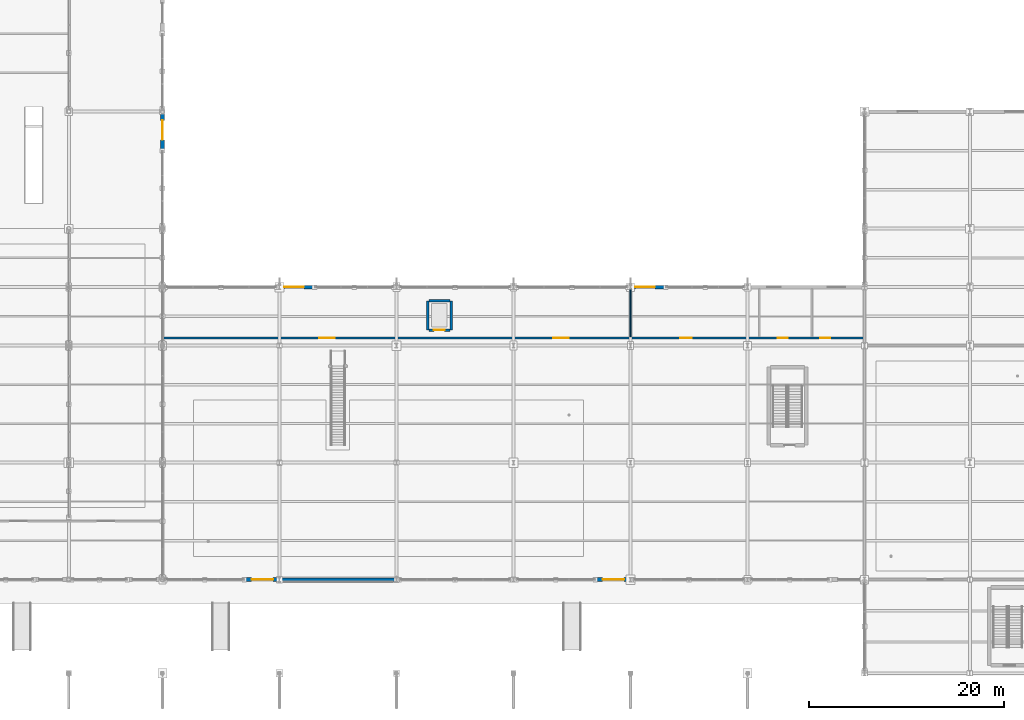
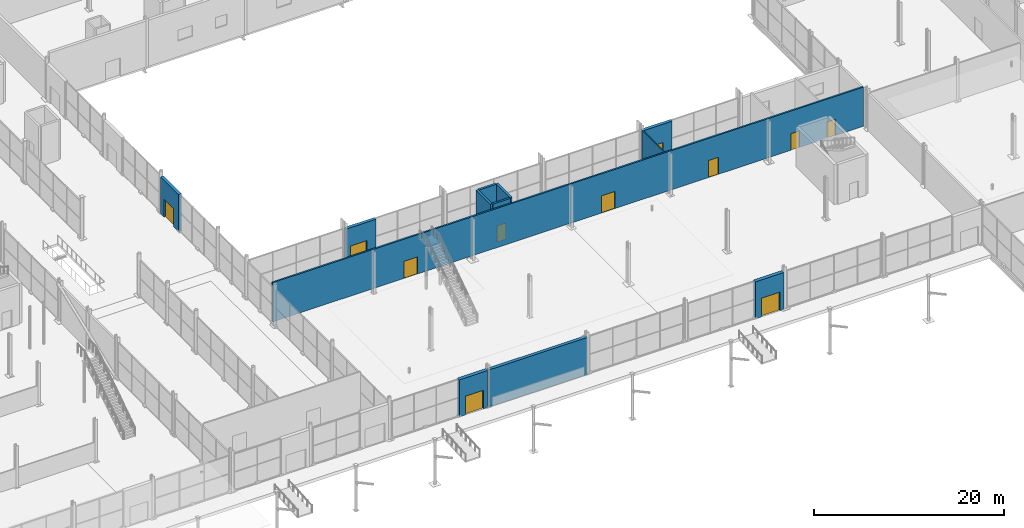
# One storey, part 170 of 196: 12 walls, 11 doors, 11 openings.
"""IFC4 building model written with IfcOpenShell, lengths in metres."""

from ifc_helpers import new_model, si_unit, direction, frame, frame_2d, origin, place, context, subcontext, project, spatial, rectangle, extrude, material, layer, layer_set, type_object, element, fill, save


model = new_model("IFC4")

# Units and contexts
model_context = context("Model", 3, precision=1e-05, world=origin(), true_north=direction((0.0, 1.0)))
body_context = subcontext(model_context, "Body", "Model", "MODEL_VIEW")
ifc_project = project(units=[si_unit("LENGTHUNIT", "METRE"), si_unit("AREAUNIT", "SQUARE_METRE"), si_unit("VOLUMEUNIT", "CUBIC_METRE"), si_unit("PLANEANGLEUNIT", "RADIAN"), si_unit("MASSUNIT", "GRAM", prefix="KILO")], contexts=[model_context])

# Site, building, storey
site_placement = place(None, origin())
site = spatial("IfcSite", under=ifc_project, at=site_placement, CompositionType="ELEMENT")
building_placement = place(site_placement, origin())
building = spatial("IfcBuilding", under=site, at=building_placement, Name="Merenkruunu Market Hall", CompositionType="ELEMENT")
storey_placement = place(building_placement, origin())
storey = spatial("IfcBuildingStorey", under=building, at=storey_placement, Name="L00", CompositionType="ELEMENT", Elevation=0.0)

# Wall, opening, door
ifc_material_1 = material(Name="Kuru grey granite", Category="masonry")
ifc_layer_1 = layer(ifc_material_1, 0.419921875)
ifc_layer_set_1 = layer_set([ifc_layer_1], Name="Kuru grey granite")
wall_type_1 = type_object("IfcWallType", Name="Exterior Envelope Wall EW01", PredefinedType="STANDARD", material=ifc_layer_set_1)
wall_1_placement = place(storey_placement, frame((88.64599609375, 15.60009765625, 0.0), z_axis=(0.0, 0.0, 1.0), x_axis=(-1.0, 0.0, 0.0)))
wall_1 = element("IfcWall", 1, at=wall_1_placement, inside=storey, type_object=wall_type_1, Name="WALL-EXT-L00-0031", PredefinedType="STANDARD", context=body_context, shape_type="SweptSolid", body=[
    extrude(rectangle(XDim=3.446044921875, YDim=0.419921875, at=frame_2d((1.72314453125, 0.0))), origin(), (0.0, 0.0, 1.0), 4.75),
])
opening_1_placement = place(wall_1_placement, frame((0.5, 0.0, 0.0)))
opening_1 = element("IfcOpeningElement", 2, at=opening_1_placement, cuts=wall_1, Name="Opening EXD02", PredefinedType="OPENING", context=body_context, shape_type="SweptSolid", body=[
    extrude(rectangle(XDim=2.199951171875, YDim=2.39990234375, at=frame_2d((1.10009765625, 1.199951171875))), frame((0.0, 0.219970703125, 0.0), z_axis=(0.0, -1.0, 0.0), x_axis=(1.0, 0.0, 0.0)), (0.0, 0.0, 1.0), 0.43994140625),
])
ifc_material_2 = material(Name="Powder-coated aluminium", Category="aluminium")
door_type_1 = type_object("IfcDoorType", Name="Pedestrian Exit Door EXD02", OperationType="NOTDEFINED", PredefinedType="DOOR", material=ifc_material_2)
door_1_placement = place(opening_1_placement, origin())
door_1 = element("IfcDoor", 3, at=door_1_placement, inside=storey, type_object=door_type_1, Name="EX-17", OperationType="DOUBLE_DOOR_SINGLE_SWING", OverallHeight=2.39990234375, OverallWidth=2.199951171875, PredefinedType="DOOR", context=body_context, shape_type="SweptSolid", body=[
    extrude(rectangle(XDim=2.199951171875, YDim=2.39990234375, at=frame_2d((1.10009765625, 1.199951171875))), frame((0.0, 0.02490234375, 0.0), z_axis=(0.0, -1.0, 0.0), x_axis=(1.0, 0.0, 0.0)), (0.0, 0.0, 1.0), 0.050048828125),
])
fill(opening_1, door_1)

wall_2_placement = place(storey_placement, frame((124.64599609375, 15.60009765625, 0.0), z_axis=(0.0, 0.0, 1.0), x_axis=(-1.0, 0.0, 0.0)))
wall_2 = element("IfcWall", 4, at=wall_2_placement, inside=storey, type_object=wall_type_1, Name="WALL-EXT-L00-0035", PredefinedType="STANDARD", context=body_context, shape_type="SweptSolid", body=[
    extrude(rectangle(XDim=3.446044921875, YDim=0.419921875, at=frame_2d((1.72314453125, 0.0))), origin(), (0.0, 0.0, 1.0), 4.75),
])
opening_2_placement = place(wall_2_placement, frame((0.5, 0.0, 0.0)))
opening_2 = element("IfcOpeningElement", 5, at=opening_2_placement, cuts=wall_2, Name="Opening EXD02", PredefinedType="OPENING", context=body_context, shape_type="SweptSolid", body=[
    extrude(rectangle(XDim=2.199951171875, YDim=2.39990234375, at=frame_2d((1.10009765625, 1.199951171875))), frame((0.0, 0.219970703125, 0.0), z_axis=(0.0, -1.0, 0.0), x_axis=(1.0, 0.0, 0.0)), (0.0, 0.0, 1.0), 0.43994140625),
])
door_2_placement = place(opening_2_placement, origin())
door_2 = element("IfcDoor", 6, at=door_2_placement, inside=storey, type_object=door_type_1, Name="EX-19", OperationType="DOUBLE_DOOR_SINGLE_SWING", OverallHeight=2.39990234375, OverallWidth=2.199951171875, PredefinedType="DOOR", context=body_context, shape_type="SweptSolid", body=[
    extrude(rectangle(XDim=2.199951171875, YDim=2.39990234375, at=frame_2d((1.10009765625, 1.199951171875))), frame((0.0, 0.02490234375, 0.0), z_axis=(0.0, -1.0, 0.0), x_axis=(1.0, 0.0, 0.0)), (0.0, 0.0, 1.0), 0.050048828125),
])
fill(opening_2, door_2)

ifc_material_3 = material(Name="Precast concrete C40/50", Category="concrete")
ifc_layer_2 = layer(ifc_material_3, 0.3798828125)
ifc_layer_set_2 = layer_set([ifc_layer_2], Name="Precast concrete C40/50")
wall_type_2 = type_object("IfcWallType", Name="Exterior Envelope Wall EW02", PredefinedType="STANDARD", material=ifc_layer_set_2)
wall_3_placement = place(storey_placement, frame((76.800048828125, 63.392822265625, 0.0), z_axis=(0.0, 0.0, 1.0), x_axis=(0.0, -1.0, 0.0)))
wall_3 = element("IfcWall", 7, at=wall_3_placement, inside=storey, type_object=wall_type_2, Name="WALL-EXT-L00-0028", PredefinedType="STANDARD", context=body_context, shape_type="SweptSolid", body=[
    extrude(rectangle(XDim=3.792724609375, YDim=0.3798828125, at=frame_2d((1.896484375, 0.0))), origin(), (0.0, 0.0, 1.0), 4.735107421875),
])
opening_3_placement = place(wall_3_placement, frame((0.699951171875, 0.0, 0.0)))
opening_3 = element("IfcOpeningElement", 8, at=opening_3_placement, cuts=wall_3, Name="Opening EXD03", PredefinedType="OPENING", context=body_context, shape_type="SweptSolid", body=[
    extrude(rectangle(XDim=2.0, YDim=2.300048828125, at=frame_2d((1.0, 1.14990234375))), frame((0.0, 0.199951171875, 0.0), z_axis=(0.0, -1.0, 0.0), x_axis=(1.0, 0.0, 0.0)), (0.0, 0.0, 1.0), 0.39990234375),
])
door_type_2 = type_object("IfcDoorType", Name="Pedestrian Exit Door EXD03", OperationType="NOTDEFINED", PredefinedType="DOOR", material=ifc_material_2)
door_3_placement = place(opening_3_placement, origin())
door_3 = element("IfcDoor", 9, at=door_3_placement, inside=storey, type_object=door_type_2, Name="EX-14", OperationType="DOUBLE_DOOR_SINGLE_SWING", OverallHeight=2.300048828125, OverallWidth=2.0, PredefinedType="DOOR", context=body_context, shape_type="SweptSolid", body=[
    extrude(rectangle(XDim=2.0, YDim=2.300048828125, at=frame_2d((1.0, 1.14990234375))), frame((0.0, 0.02490234375, 0.0), z_axis=(0.0, -1.0, 0.0), x_axis=(1.0, 0.0, 0.0)), (0.0, 0.0, 1.0), 0.050048828125),
])
fill(opening_3, door_3)

# Wall
wall_4_placement = place(storey_placement, frame((100.790283203125, 15.60009765625, 0.0), z_axis=(0.0, 0.0, 1.0), x_axis=(-1.0, 0.0, 0.0)))
element("IfcWall", 10, at=wall_4_placement, inside=storey, type_object=wall_type_2, Name="WALL-EXT-L00-0032", PredefinedType="STANDARD", context=body_context, shape_type="SweptSolid", body=[
    extrude(rectangle(XDim=11.98046875, YDim=0.3798828125, at=frame_2d((5.990234375, 0.0))), origin(), (0.0, 0.0, 1.0), 4.75),
])

# Wall, opening, door
wall_5_placement = place(storey_placement, frame((88.809814453125, 45.60009765625, 0.0), z_axis=(0.0, 0.0, 1.0), x_axis=(1.0, 0.0, 0.0)))
wall_5 = element("IfcWall", 11, at=wall_5_placement, inside=storey, type_object=wall_type_2, Name="WALL-EXT-L00-0034", PredefinedType="STANDARD", context=body_context, shape_type="SweptSolid", body=[
    extrude(rectangle(XDim=3.590087890625, YDim=0.3798828125, at=frame_2d((1.794921875, 0.0))), origin(), (0.0, 0.0, 1.0), 4.6650390625),
])
opening_4_placement = place(wall_5_placement, frame((0.5, 0.0, 0.0)))
opening_4 = element("IfcOpeningElement", 12, at=opening_4_placement, cuts=wall_5, Name="Opening EXD03", PredefinedType="OPENING", context=body_context, shape_type="SweptSolid", body=[
    extrude(rectangle(XDim=2.0, YDim=2.300048828125, at=frame_2d((1.0, 1.14990234375))), frame((0.0, 0.199951171875, 0.0), z_axis=(0.0, -1.0, 0.0), x_axis=(1.0, 0.0, 0.0)), (0.0, 0.0, 1.0), 0.39990234375),
])
door_4_placement = place(opening_4_placement, origin())
door_4 = element("IfcDoor", 13, at=door_4_placement, inside=storey, type_object=door_type_2, Name="EX-18", OperationType="DOUBLE_DOOR_SINGLE_SWING", OverallHeight=2.300048828125, OverallWidth=2.0, PredefinedType="DOOR", context=body_context, shape_type="SweptSolid", body=[
    extrude(rectangle(XDim=2.0, YDim=2.300048828125, at=frame_2d((1.0, 1.14990234375))), frame((0.0, 0.02490234375, 0.0), z_axis=(0.0, -1.0, 0.0), x_axis=(1.0, 0.0, 0.0)), (0.0, 0.0, 1.0), 0.050048828125),
])
fill(opening_4, door_4)

wall_6_placement = place(storey_placement, frame((124.809814453125, 45.60009765625, 0.0), z_axis=(0.0, 0.0, 1.0), x_axis=(1.0, 0.0, 0.0)))
wall_6 = element("IfcWall", 14, at=wall_6_placement, inside=storey, type_object=wall_type_2, Name="WALL-EXT-L00-0036", PredefinedType="STANDARD", context=body_context, shape_type="SweptSolid", body=[
    extrude(rectangle(XDim=3.590087890625, YDim=0.3798828125, at=frame_2d((1.794921875, 0.0))), origin(), (0.0, 0.0, 1.0), 4.6650390625),
])
opening_5_placement = place(wall_6_placement, frame((0.5, 0.0, 0.0)))
opening_5 = element("IfcOpeningElement", 15, at=opening_5_placement, cuts=wall_6, Name="Opening EXD03", PredefinedType="OPENING", context=body_context, shape_type="SweptSolid", body=[
    extrude(rectangle(XDim=2.0, YDim=2.300048828125, at=frame_2d((1.0, 1.14990234375))), frame((0.0, 0.199951171875, 0.0), z_axis=(0.0, -1.0, 0.0), x_axis=(1.0, 0.0, 0.0)), (0.0, 0.0, 1.0), 0.39990234375),
])
door_5_placement = place(opening_5_placement, origin())
door_5 = element("IfcDoor", 16, at=door_5_placement, inside=storey, type_object=door_type_2, Name="EX-20", OperationType="DOUBLE_DOOR_SINGLE_SWING", OverallHeight=2.300048828125, OverallWidth=2.0, PredefinedType="DOOR", context=body_context, shape_type="SweptSolid", body=[
    extrude(rectangle(XDim=2.0, YDim=2.300048828125, at=frame_2d((1.0, 1.14990234375))), frame((0.0, 0.02490234375, 0.0), z_axis=(0.0, -1.0, 0.0), x_axis=(1.0, 0.0, 0.0)), (0.0, 0.0, 1.0), 0.050048828125),
])
fill(opening_5, door_5)

# Wall, openings, doors
ifc_material_4 = material(Name="Gypsum fire compartment board")
ifc_layer_3 = layer(ifc_material_4, 0.199951171875)
ifc_layer_set_3 = layer_set([ifc_layer_3], Name="Gypsum fire compartment board")
wall_type_3 = type_object("IfcWallType", Name="Interior Partition Wall FW02", PredefinedType="PARTITIONING", material=ifc_layer_set_3)
wall_7_placement = place(storey_placement, frame((76.882080078125, 40.39990234375, 0.0), z_axis=(0.0, 0.0, 1.0), x_axis=(1.0, 0.0, 0.0)))
wall_7 = element("IfcWall", 17, at=wall_7_placement, inside=storey, type_object=wall_type_3, Name="WALL-INT-L00-0035", PredefinedType="PARTITIONING", context=body_context, shape_type="SweptSolid", body=[
    extrude(rectangle(XDim=71.805908203125, YDim=0.199951171875, at=frame_2d((35.90283203125, 0.0))), origin(), (0.0, 0.0, 1.0), 5.0400390625),
])
opening_6_placement = place(wall_7_placement, frame((16.0, 0.0, 0.0)))
opening_6 = element("IfcOpeningElement", 18, at=opening_6_placement, cuts=wall_7, Name="Opening FD05", PredefinedType="OPENING", context=body_context, shape_type="SweptSolid", body=[
    extrude(rectangle(XDim=1.60009765625, YDim=2.199951171875, at=frame_2d((0.800048828125, 1.10009765625))), frame((0.0, 0.10986328125, 0.0), z_axis=(0.0, -1.0, 0.0), x_axis=(1.0, 0.0, 0.0)), (0.0, 0.0, 1.0), 0.219970703125),
])
opening_7_placement = place(wall_7_placement, frame((40.0, 0.0, 0.0)))
opening_7 = element("IfcOpeningElement", 19, at=opening_7_placement, cuts=wall_7, Name="Opening FD05", PredefinedType="OPENING", context=body_context, shape_type="SweptSolid", body=[
    extrude(rectangle(XDim=1.60009765625, YDim=2.199951171875, at=frame_2d((0.800048828125, 1.10009765625))), frame((0.0, 0.10986328125, 0.0), z_axis=(0.0, -1.0, 0.0), x_axis=(1.0, 0.0, 0.0)), (0.0, 0.0, 1.0), 0.219970703125),
])
opening_8_placement = place(wall_7_placement, frame((53.0, 0.0, 0.0)))
opening_8 = element("IfcOpeningElement", 20, at=opening_8_placement, cuts=wall_7, Name="Opening FD03", PredefinedType="OPENING", context=body_context, shape_type="SweptSolid", body=[
    extrude(rectangle(XDim=1.199951171875, YDim=2.199951171875, at=frame_2d((0.60009765625, 1.10009765625))), frame((0.0, 0.10986328125, 0.0), z_axis=(0.0, -1.0, 0.0), x_axis=(1.0, 0.0, 0.0)), (0.0, 0.0, 1.0), 0.219970703125),
])
opening_9_placement = place(wall_7_placement, frame((63.0, 0.0, 0.0)))
opening_9 = element("IfcOpeningElement", 21, at=opening_9_placement, cuts=wall_7, Name="Opening D08", PredefinedType="OPENING", context=body_context, shape_type="SweptSolid", body=[
    extrude(rectangle(XDim=1.02001953125, YDim=2.1201171875, at=frame_2d((0.510009765625, 1.06005859375))), frame((0.0, 0.10986328125, 0.0), z_axis=(0.0, -1.0, 0.0), x_axis=(1.0, 0.0, 0.0)), (0.0, 0.0, 1.0), 0.219970703125),
])
opening_10_placement = place(wall_7_placement, frame((67.39990234375, 0.0, 0.0)))
opening_10 = element("IfcOpeningElement", 22, at=opening_10_placement, cuts=wall_7, Name="Opening D02", PredefinedType="OPENING", context=body_context, shape_type="SweptSolid", body=[
    extrude(rectangle(XDim=1.0, YDim=2.10009765625, at=frame_2d((0.5, 1.050048828125))), frame((0.0, 0.10986328125, 0.0), z_axis=(0.0, -1.0, 0.0), x_axis=(1.0, 0.0, 0.0)), (0.0, 0.0, 1.0), 0.219970703125),
])
ifc_material_5 = material(Name="Lacquered Nordic birch")
door_type_3 = type_object("IfcDoorType", Name="Accessible Sanitary Door D08", OperationType="NOTDEFINED", PredefinedType="DOOR", material=ifc_material_5)
door_6_placement = place(opening_9_placement, origin())
door_6 = element("IfcDoor", 23, at=door_6_placement, inside=storey, type_object=door_type_3, Name="DR-L00-039", OperationType="SINGLE_SWING_LEFT", OverallHeight=2.1201171875, OverallWidth=1.02001953125, PredefinedType="DOOR", context=body_context, shape_type="SweptSolid", body=[
    extrude(rectangle(XDim=1.02001953125, YDim=2.1201171875, at=frame_2d((0.510009765625, 1.06005859375))), frame((0.0, 0.02490234375, 0.0), z_axis=(0.0, -1.0, 0.0), x_axis=(1.0, 0.0, 0.0)), (0.0, 0.0, 1.0), 0.050048828125),
])
fill(opening_9, door_6)
door_type_4 = type_object("IfcDoorType", Name="Fire Compartment Door FD03", OperationType="NOTDEFINED", PredefinedType="DOOR", material=ifc_material_2)
door_7_placement = place(opening_8_placement, origin())
door_7 = element("IfcDoor", 24, at=door_7_placement, inside=storey, type_object=door_type_4, Name="DR-L00-038", OperationType="SINGLE_SWING_RIGHT", OverallHeight=2.199951171875, OverallWidth=1.199951171875, PredefinedType="DOOR", context=body_context, shape_type="SweptSolid", body=[
    extrude(rectangle(XDim=1.199951171875, YDim=2.199951171875, at=frame_2d((0.60009765625, 1.10009765625))), frame((0.0, 0.02490234375, 0.0), z_axis=(0.0, -1.0, 0.0), x_axis=(1.0, 0.0, 0.0)), (0.0, 0.0, 1.0), 0.050048828125),
])
fill(opening_8, door_7)
door_type_5 = type_object("IfcDoorType", Name="Fire Compartment Door FD05", OperationType="NOTDEFINED", PredefinedType="DOOR", material=ifc_material_2)
door_8_placement = place(opening_6_placement, origin())
door_8 = element("IfcDoor", 25, at=door_8_placement, inside=storey, type_object=door_type_5, Name="DR-L00-036", OperationType="SINGLE_SWING_RIGHT", OverallHeight=2.199951171875, OverallWidth=1.60009765625, PredefinedType="DOOR", context=body_context, shape_type="SweptSolid", body=[
    extrude(rectangle(XDim=1.60009765625, YDim=2.199951171875, at=frame_2d((0.800048828125, 1.10009765625))), frame((0.0, 0.02490234375, 0.0), z_axis=(0.0, -1.0, 0.0), x_axis=(1.0, 0.0, 0.0)), (0.0, 0.0, 1.0), 0.050048828125),
])
fill(opening_6, door_8)
door_9_placement = place(opening_7_placement, origin())
door_9 = element("IfcDoor", 26, at=door_9_placement, inside=storey, type_object=door_type_5, Name="DR-L00-037", OperationType="SINGLE_SWING_LEFT", OverallHeight=2.199951171875, OverallWidth=1.60009765625, PredefinedType="DOOR", context=body_context, shape_type="SweptSolid", body=[
    extrude(rectangle(XDim=1.60009765625, YDim=2.199951171875, at=frame_2d((0.800048828125, 1.10009765625))), frame((0.0, 0.02490234375, 0.0), z_axis=(0.0, -1.0, 0.0), x_axis=(1.0, 0.0, 0.0)), (0.0, 0.0, 1.0), 0.050048828125),
])
fill(opening_7, door_9)
door_type_6 = type_object("IfcDoorType", Name="Pedestrian Room Door D02", OperationType="NOTDEFINED", PredefinedType="DOOR", material=ifc_material_5)
door_10_placement = place(opening_10_placement, origin())
door_10 = element("IfcDoor", 27, at=door_10_placement, inside=storey, type_object=door_type_6, Name="DR-L00-040", OperationType="SINGLE_SWING_RIGHT", OverallHeight=2.10009765625, OverallWidth=1.0, PredefinedType="DOOR", context=body_context, shape_type="SweptSolid", body=[
    extrude(rectangle(XDim=1.0, YDim=2.10009765625, at=frame_2d((0.5, 1.050048828125))), frame((0.0, 0.02490234375, 0.0), z_axis=(0.0, -1.0, 0.0), x_axis=(1.0, 0.0, 0.0)), (0.0, 0.0, 1.0), 0.050048828125),
])
fill(opening_10, door_10)

# Wall
ifc_material_6 = material(Name="Ceramic hygienic wet-room board")
ifc_layer_4 = layer(ifc_material_6, 0.139892578125)
ifc_layer_set_4 = layer_set([ifc_layer_4], Name="Ceramic hygienic wet-room board")
wall_type_4 = type_object("IfcWallType", Name="Interior Partition Wall PW02", PredefinedType="PARTITIONING", material=ifc_layer_set_4)
wall_8_placement = place(storey_placement, frame((124.800048828125, 40.501953125, 0.0), z_axis=(0.0, 0.0, 1.0), x_axis=(0.0, 1.0, 0.0)))
element("IfcWall", 28, at=wall_8_placement, inside=storey, type_object=wall_type_4, Name="WALL-INT-L00-0036", PredefinedType="PARTITIONING", context=body_context, shape_type="SweptSolid", body=[
    extrude(rectangle(XDim=4.906005859375, YDim=0.139892578125, at=frame_2d((2.453125, 0.0))), origin(), (0.0, 0.0, 1.0), 4.764892578125),
])

# Wall, opening, door
ifc_material_7 = material(Name="Concrete C35/45", Category="concrete")
ifc_layer_5 = layer(ifc_material_7, 0.260009765625)
ifc_layer_set_5 = layer_set([ifc_layer_5], Name="Concrete C35/45")
wall_type_5 = type_object("IfcWallType", Name="Structural Shear Wall SW03", PredefinedType="SHEAR", material=ifc_layer_set_5)
wall_9_placement = place(storey_placement, frame((104.1298828125, 41.199951171875, 0.0), z_axis=(0.0, 0.0, 1.0), x_axis=(1.0, 0.0, 0.0)))
wall_9 = element("IfcWall", 29, at=wall_9_placement, inside=storey, type_object=wall_type_5, Name="WALL-LIFT-LP3-L00-S", PredefinedType="SHEAR", context=body_context, shape_type="SweptSolid", body=[
    extrude(rectangle(XDim=2.14013671875, YDim=0.260009765625, at=frame_2d((1.070068359375, 0.0))), origin(), (0.0, 0.0, 1.0), 5.1201171875),
])
opening_11_placement = place(wall_9_placement, frame((0.52001953125, 0.0, 0.0)))
opening_11 = element("IfcOpeningElement", 30, at=opening_11_placement, cuts=wall_9, Name="Opening LD01", PredefinedType="OPENING", context=body_context, shape_type="SweptSolid", body=[
    extrude(rectangle(XDim=1.10009765625, YDim=2.10009765625, at=frame_2d((0.550048828125, 1.050048828125))), frame((0.0, 0.14013671875, 0.0), z_axis=(0.0, -1.0, 0.0), x_axis=(1.0, 0.0, 0.0)), (0.0, 0.0, 1.0), 0.280029296875),
])
ifc_material_8 = material(Name="Brushed stainless steel", Category="steel")
door_type_7 = type_object("IfcDoorType", Name="Lift Landing Sliding Door LD01", OperationType="NOTDEFINED", PredefinedType="DOOR", material=ifc_material_8)
door_11_placement = place(opening_11_placement, origin())
door_11 = element("IfcDoor", 31, at=door_11_placement, inside=storey, type_object=door_type_7, Name="Lift landing door LP3 L00", OperationType="SLIDING_TO_LEFT", OverallHeight=2.10009765625, OverallWidth=1.10009765625, PredefinedType="DOOR", context=body_context, shape_type="SweptSolid", body=[
    extrude(rectangle(XDim=1.10009765625, YDim=2.10009765625, at=frame_2d((0.550048828125, 1.050048828125))), frame((0.0, 0.02490234375, 0.0), z_axis=(0.0, -1.0, 0.0), x_axis=(1.0, 0.0, 0.0)), (0.0, 0.0, 1.0), 0.050048828125),
])
fill(opening_11, door_11)

# Walls
wall_10_placement = place(storey_placement, frame((106.39990234375, 41.199951171875, 0.0), z_axis=(0.0, 0.0, 1.0), x_axis=(0.0, 1.0, 0.0)))
element("IfcWall", 32, at=wall_10_placement, inside=storey, type_object=wall_type_5, Name="WALL-LIFT-LP3-L00-E", PredefinedType="SHEAR", context=body_context, shape_type="SweptSolid", body=[
    extrude(rectangle(XDim=3.0, YDim=0.260009765625, at=frame_2d((1.5, 0.0))), origin(), (0.0, 0.0, 1.0), 5.1201171875),
])
wall_11_placement = place(storey_placement, frame((106.27001953125, 44.199951171875, 0.0), z_axis=(0.0, 0.0, 1.0), x_axis=(-1.0, 0.0, 0.0)))
element("IfcWall", 33, at=wall_11_placement, inside=storey, type_object=wall_type_5, Name="WALL-LIFT-LP3-L00-N", PredefinedType="SHEAR", context=body_context, shape_type="SweptSolid", body=[
    extrude(rectangle(XDim=2.14013671875, YDim=0.260009765625, at=frame_2d((1.070068359375, 0.0))), origin(), (0.0, 0.0, 1.0), 5.1201171875),
])
wall_12_placement = place(storey_placement, frame((104.0, 44.199951171875, 0.0), z_axis=(0.0, 0.0, 1.0), x_axis=(0.0, -1.0, 0.0)))
element("IfcWall", 34, at=wall_12_placement, inside=storey, type_object=wall_type_5, Name="WALL-LIFT-LP3-L00-W", PredefinedType="SHEAR", context=body_context, shape_type="SweptSolid", body=[
    extrude(rectangle(XDim=3.0, YDim=0.260009765625, at=frame_2d((1.5, 0.0))), origin(), (0.0, 0.0, 1.0), 5.1201171875),
])

save(model, "model.ifc")
